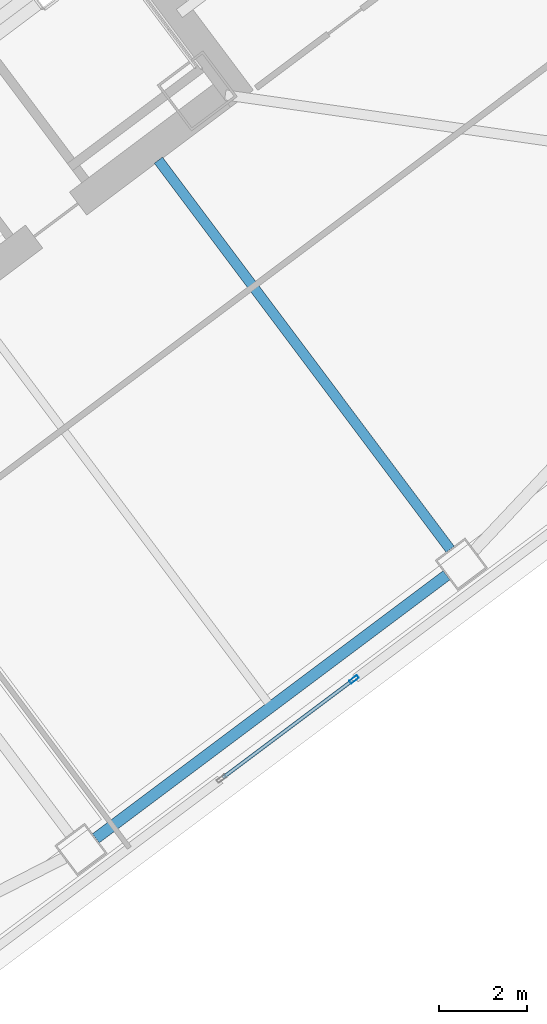
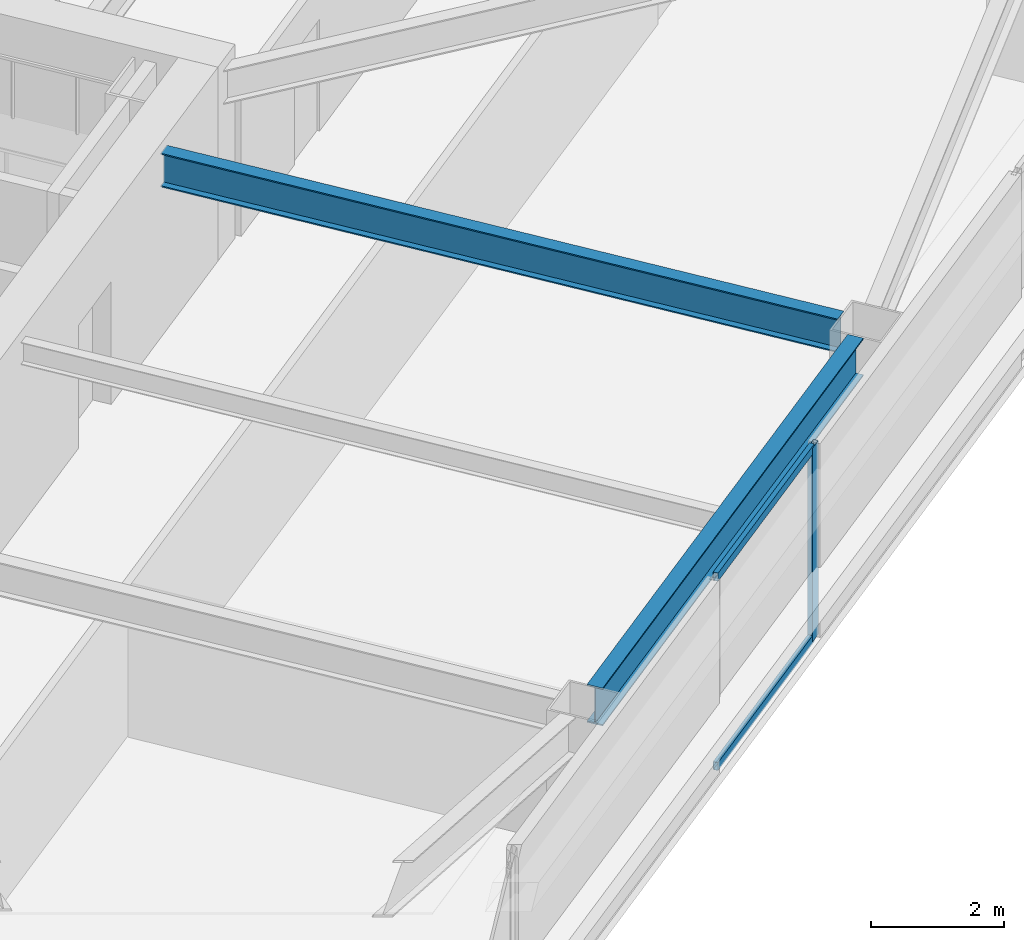
# One storey, part 23 of 44: 3 members, 2 beams, 1 element without a shape of its own.
"""IFC4 building model written with IfcOpenShell, lengths in metres."""

from ifc_helpers import new_model, si_unit, direction, frame, origin, origin_2d, place, context, subcontext, project, spatial, hollow_rectangle, i_section, extrude, material, material_profile, profile_set, type_object, element, aggregate, save


model = new_model("IFC4")

# Units and contexts
model_context = context("Model", 3, precision=1e-05, world=origin(), true_north=direction((0.0, 1.0)))
body_context = subcontext(model_context, "Body", "Model", "MODEL_VIEW")
ifc_project = project(units=[si_unit("LENGTHUNIT", "METRE"), si_unit("AREAUNIT", "SQUARE_METRE"), si_unit("VOLUMEUNIT", "CUBIC_METRE"), si_unit("PLANEANGLEUNIT", "RADIAN"), si_unit("MASSUNIT", "GRAM", prefix="KILO")], contexts=[model_context])

# Site, building, storey
site_placement = place(None, origin())
site = spatial("IfcSite", under=ifc_project, at=site_placement, CompositionType="ELEMENT")
building_placement = place(site_placement, origin())
building = spatial("IfcBuilding", under=site, at=building_placement, Name="Tashvorn Skyway Center", CompositionType="ELEMENT")
storey_placement = place(building_placement, frame((0.0, 0.0, 92.050048828125)))
storey = spatial("IfcBuildingStorey", under=building, at=storey_placement, Name="L24", CompositionType="ELEMENT", Elevation=92.050048828125)

# Beams
ifc_material_1 = material(Name="Steel ASTM A992 Grade 50", Category="steel")
ifc_material_profile_1 = material_profile(ifc_material_1, i_section(OverallWidth=0.22998046875, OverallDepth=0.616943359375, WebThickness=0.01318359375, FlangeThickness=0.022216796875, at=origin_2d()), Name="W24X94")
ifc_profile_set_1 = profile_set([ifc_material_profile_1], Name="Steel ASTM A992 Grade 50")
beam_type_1 = type_object("IfcBeamType", Name="BM-BEAM-W24X94", PredefinedType="BEAM", material=ifc_profile_set_1)
beam_1_placement = place(storey_placement, frame((129.617919921875, 20.176025390625, 3.04150390625), z_axis=(-0.599989394744, 0.800007953832, 0.0), x_axis=(-0.800007953832, -0.599989394744, 0.0)))
element("IfcBeam", 1, at=beam_1_placement, inside=storey, type_object=beam_type_1, Name="Tower 2 L24 Primary Floor Girder FC-S2", PredefinedType="BEAM", context=body_context, shape_type="SweptSolid", body=[
    extrude(i_section(OverallWidth=0.22998046875, OverallDepth=0.616943359375, WebThickness=0.01318359375, FlangeThickness=0.022216796875, at=origin_2d()), origin(), (0.0, 0.0, 1.0), 11.050048828125),
])
ifc_material_profile_2 = material_profile(ifc_material_1, i_section(OverallWidth=0.256103515625, OverallDepth=0.693115234375, WebThickness=0.014404296875, FlangeThickness=0.023681640625, at=origin_2d()), Name="W27X114")
ifc_profile_set_2 = profile_set([ifc_material_profile_2], Name="Steel ASTM A992 Grade 50")
beam_type_2 = type_object("IfcBeamType", Name="BM-SPANDREL-W27X114", PredefinedType="SPANDREL", material=ifc_profile_set_2)
beam_2_placement = place(storey_placement, frame((121.56591796875, 13.612060546875, 3.00341796875), z_axis=(0.800008824351, 0.599988234018, 0.0), x_axis=(-0.599988234018, 0.800008824351, 0.0)))
element("IfcBeam", 2, at=beam_2_placement, inside=storey, type_object=beam_type_2, Name="Tower 2 L24 Spandrel Beam 02", PredefinedType="SPANDREL", context=body_context, shape_type="SweptSolid", body=[
    extrude(i_section(OverallWidth=0.256103515625, OverallDepth=0.693115234375, WebThickness=0.014404296875, FlangeThickness=0.023681640625, at=origin_2d()), origin(), (0.0, 0.0, 1.0), 9.9599609375),
])

# Curtain wall, members
ifc_material_2 = material(Name="Thermally broken bronze-anodized aluminium 6063-T6", Category="aluminium")
curtain_wall_type = type_object("IfcCurtainWallType", Name="CW-CW-Z2", PredefinedType="NOTDEFINED", material=ifc_material_2)
curtain_wall_placement = place(storey_placement, origin())
curtain_wall = element("IfcCurtainWall", 3, at=curtain_wall_placement, inside=storey, type_object=curtain_wall_type, Name="Tower 2 L24 South Unitised Curtain Wall Glazing Group 2", PredefinedType="NOTDEFINED")
ifc_material_profile_3 = material_profile(ifc_material_2, hollow_rectangle(XDim=0.080078125, YDim=0.219970703125, WallThickness=0.0048828125, at=origin_2d()), Name="ALU-MULL-80x220")
ifc_profile_set_3 = profile_set([ifc_material_profile_3], Name="Thermally broken bronze-anodized aluminium 6063-T6")
member_type_1 = type_object("IfcMemberType", Name="CWM-CW-Z2", PredefinedType="MULLION", material=ifc_profile_set_3)
member_1_placement = place(storey_placement, frame((127.431884765625, 17.22412109375, 0.0), z_axis=(0.0, 0.0, 1.0), x_axis=(0.600000000002, -0.799999999998, 0.0)))
member_1 = element("IfcMember", 4, at=member_1_placement, type_object=member_type_1, Name="CW-Z2 mullion 1", PredefinedType="MULLION", context=body_context, shape_type="SweptSolid", body=[
    extrude(hollow_rectangle(XDim=0.080078125, YDim=0.219970703125, WallThickness=0.0048828125, at=origin_2d()), origin(), (0.0, 0.0, 1.0), 3.550048828125),
])
ifc_material_profile_4 = material_profile(ifc_material_2, hollow_rectangle(XDim=0.080078125, YDim=0.14990234375, WallThickness=0.00439453125, at=origin_2d()), Name="ALU-TRAN-80x150")
ifc_profile_set_4 = profile_set([ifc_material_profile_4], Name="Thermally broken bronze-anodized aluminium 6063-T6")
member_type_2 = type_object("IfcMemberType", Name="CWT-CW-Z2", PredefinedType="USERDEFINED", material=ifc_profile_set_4)
member_2_placement = place(storey_placement, frame((127.39990234375, 17.199951171875, 0.0400390625), z_axis=(-0.799984076997, -0.600021230084, 0.0), x_axis=(0.600021230084, -0.799984076997, 0.0)))
member_2 = element("IfcMember", 5, at=member_2_placement, type_object=member_type_2, Name="CW-Z2 transom 1.1", ObjectType="TRANSOM", PredefinedType="USERDEFINED", context=body_context, shape_type="SweptSolid", body=[
    extrude(hollow_rectangle(XDim=0.080078125, YDim=0.14990234375, WallThickness=0.00439453125, at=origin_2d()), origin(), (0.0, 0.0, 1.0), 3.679931640625),
])
member_3_placement = place(storey_placement, frame((127.39990234375, 17.199951171875, 3.510009765625), z_axis=(-0.799984076997, -0.600021230084, 0.0), x_axis=(0.600021230084, -0.799984076997, 0.0)))
member_3 = element("IfcMember", 6, at=member_3_placement, type_object=member_type_2, Name="CW-Z2 transom 1.2", ObjectType="TRANSOM", PredefinedType="USERDEFINED", context=body_context, shape_type="SweptSolid", body=[
    extrude(hollow_rectangle(XDim=0.080078125, YDim=0.14990234375, WallThickness=0.00439453125, at=origin_2d()), origin(), (0.0, 0.0, 1.0), 3.679931640625),
])
aggregate(curtain_wall, [member_1, member_2, member_3])

save(model, "model.ifc")
